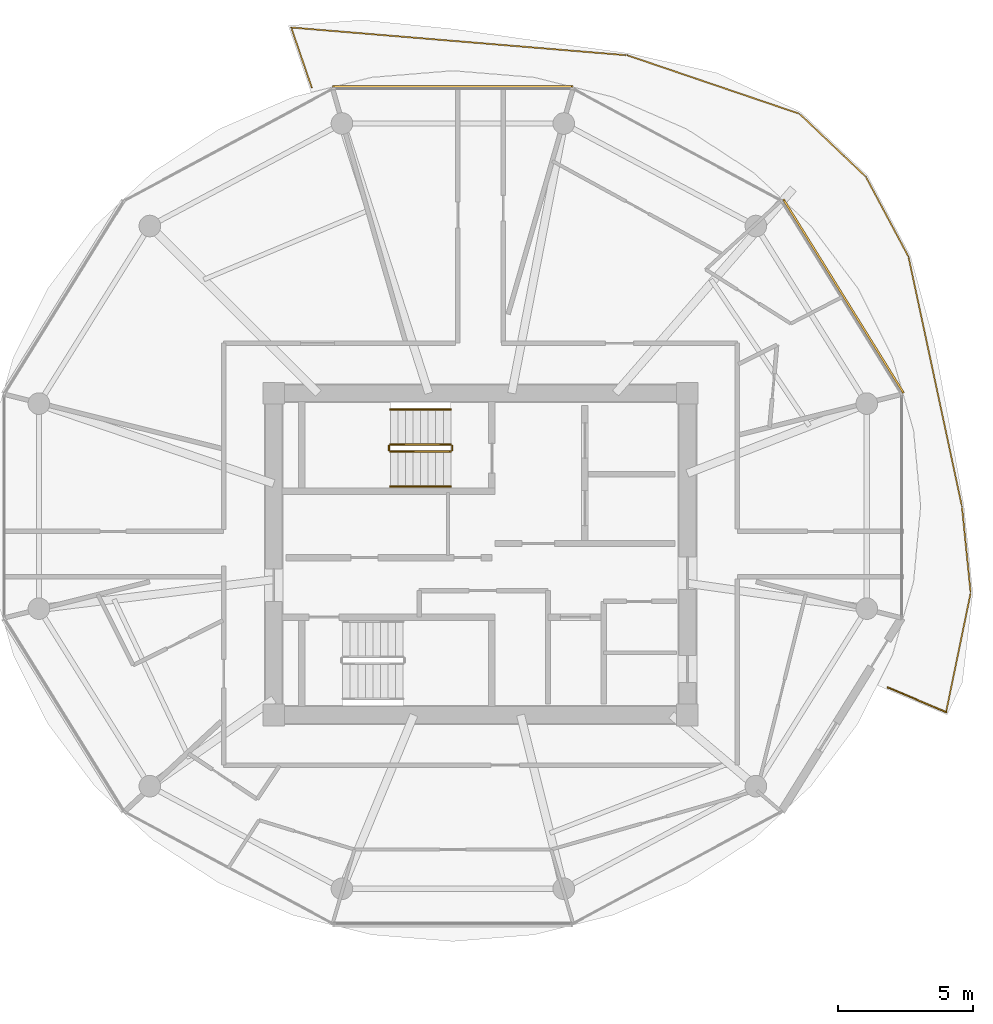
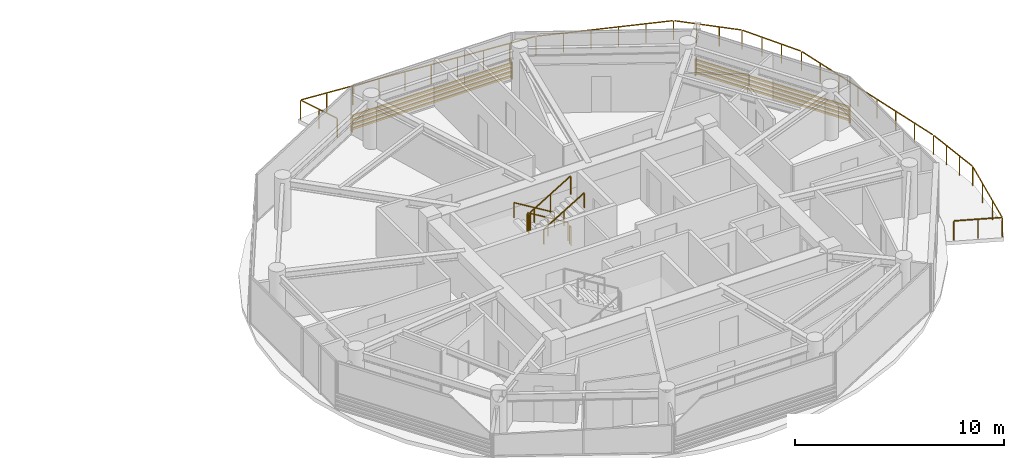
# One storey, part 22 of 22: 8 railings, 2 shading devices.
"""IFC4 building model written with IfcOpenShell, lengths in metres."""

from ifc_helpers import new_model, si_unit, direction, frame, origin, origin_2d, place, context, subcontext, project, spatial, rectangle, extrude, source, transform, mapped, material, type_object, type_shapes, element, save


model = new_model("IFC4")

# Units and contexts
model_context = context("Model", 3, precision=1e-05, world=origin(), true_north=direction((0.0, 1.0)))
body_context = subcontext(model_context, "Body", "Model", "MODEL_VIEW")
ifc_project = project(units=[si_unit("LENGTHUNIT", "METRE"), si_unit("AREAUNIT", "SQUARE_METRE"), si_unit("VOLUMEUNIT", "CUBIC_METRE"), si_unit("PLANEANGLEUNIT", "RADIAN"), si_unit("MASSUNIT", "GRAM", prefix="KILO")], contexts=[model_context])

# Site, building, storey
site_placement = place(None, origin())
site = spatial("IfcSite", under=ifc_project, at=site_placement, CompositionType="ELEMENT")
building_placement = place(site_placement, origin())
building = spatial("IfcBuilding", under=site, at=building_placement, Name="Norrkilde Senior Care Towers", CompositionType="ELEMENT")
storey_placement = place(building_placement, frame((0.0, 0.0, 167.85009765625)))
storey = spatial("IfcBuildingStorey", under=building, at=storey_placement, Name="L52", CompositionType="ELEMENT", Elevation=167.85009765625)

# Railings
ifc_material_1 = material(Name="Anodised Aluminium", Category="aluminium")
railing_type_1 = type_object("IfcRailingType", Name="Balcony Swirl Ribbon Guardrail 1150", PredefinedType="GUARDRAIL", material=ifc_material_1)
railing_1_placement = place(storey_placement, frame((45.217041015625, -5.84130859375, 0.0)))
element("IfcRailing", 1, at=railing_1_placement, inside=storey, type_object=railing_type_1, Name="L52 Perimeter Safety Guard 01", PredefinedType="GUARDRAIL", context=body_context, shape_type="SweptSolid", body=[
    extrude(rectangle(XDim=0.048095703125, YDim=0.048095703125, at=origin_2d()), frame((0.0, 0.0, 1.1259765625), z_axis=(-0.921245400278, 0.38898189221, 0.0), x_axis=(-0.38898189221, -0.921245400278, 0.0)), (0.0, 0.0, 1.0), 2.336181640625),
    extrude(rectangle(XDim=0.0419921875, YDim=0.0419921875, at=origin_2d()), origin(), (0.0, 0.0, 1.0), 1.099853515625),
    extrude(rectangle(XDim=0.0419921875, YDim=0.0419921875, at=origin_2d()), frame((-1.076171875, 0.454345703125, 0.0)), (0.0, 0.0, 1.0), 1.099853515625),
    extrude(rectangle(XDim=0.0419921875, YDim=0.0419921875, at=origin_2d()), frame((-2.152099609375, 0.90869140625, 0.0)), (0.0, 0.0, 1.0), 1.099853515625),
])
railing_2_placement = place(storey_placement, frame((21.75390625, 17.263427734375, 0.0)))
element("IfcRailing", 2, at=railing_2_placement, inside=storey, type_object=railing_type_1, Name="L52 Perimeter Safety Guard 02", PredefinedType="GUARDRAIL", context=body_context, shape_type="SweptSolid", body=[
    extrude(rectangle(XDim=0.048095703125, YDim=0.048095703125, at=origin_2d()), frame((0.0, 0.0, 1.1259765625), z_axis=(-0.324044156322, 0.946041957185, 0.0), x_axis=(-0.946041957185, -0.324044156322, 0.0)), (0.0, 0.0, 1.0), 2.298583984375),
    extrude(rectangle(XDim=0.048095703125, YDim=0.048095703125, at=origin_2d()), frame((-0.71728515625, 2.209716796875, 1.1259765625), z_axis=(0.996603018122, -0.082355475045, 0.0), x_axis=(0.082355475045, 0.996603018122, 0.0)), (0.0, 0.0, 1.0), 12.392822265625),
    extrude(rectangle(XDim=0.048095703125, YDim=0.048095703125, at=origin_2d()), frame((11.712890625, 1.172607421875, 1.1259765625), z_axis=(0.946780041496, -0.321881271627, 0.0), x_axis=(0.321881271627, 0.946780041496, 0.0)), (0.0, 0.0, 1.0), 6.648193359375),
    extrude(rectangle(XDim=0.048095703125, YDim=0.048095703125, at=origin_2d()), frame((18.075439453125, -1.008544921875, 1.1259765625), z_axis=(0.725082421062, -0.688662096145, 0.0), x_axis=(0.688662096145, 0.725082421062, 0.0)), (0.0, 0.0, 1.0), 3.296875),
    extrude(rectangle(XDim=0.048095703125, YDim=0.048095703125, at=origin_2d()), frame((20.514892578125, -3.34326171875, 1.1259765625), z_axis=(0.470444462974, -0.882429604704, 0.0), x_axis=(0.882429604704, 0.470444462974, 0.0)), (0.0, 0.0, 1.0), 3.267578125),
    extrude(rectangle(XDim=0.048095703125, YDim=0.048095703125, at=origin_2d()), frame((22.079833984375, -6.302734375, 1.1259765625), z_axis=(0.209310202269, -0.977849292696, 0.0), x_axis=(0.977849292696, 0.209310202269, 0.0)), (0.0, 0.0, 1.0), 9.36376953125),
    extrude(rectangle(XDim=0.048095703125, YDim=0.048095703125, at=origin_2d()), frame((24.052490234375, -15.539794921875, 1.1259765625), z_axis=(0.100503260029, -0.994936729005, 0.0), x_axis=(0.994936729005, 0.100503260029, 0.0)), (0.0, 0.0, 1.0), 3.134521484375),
    extrude(rectangle(XDim=0.048095703125, YDim=0.048095703125, at=origin_2d()), frame((24.36328125, -18.739013671875, 1.1259765625), z_axis=(-0.201946927391, -0.979396466461, 0.0), x_axis=(0.979396466461, -0.201946927391, 0.0)), (0.0, 0.0, 1.0), 4.45751953125),
    extrude(rectangle(XDim=0.0419921875, YDim=0.0419921875, at=origin_2d()), origin(), (0.0, 0.0, 1.0), 1.099853515625),
    extrude(rectangle(XDim=0.0419921875, YDim=0.0419921875, at=origin_2d()), frame((-0.37890625, 1.1064453125, 0.0)), (0.0, 0.0, 1.0), 1.099853515625),
    extrude(rectangle(XDim=0.0419921875, YDim=0.0419921875, at=origin_2d()), frame((-0.758056640625, 2.213134765625, 0.0)), (0.0, 0.0, 1.0), 1.099853515625),
    extrude(rectangle(XDim=0.0419921875, YDim=0.0419921875, at=origin_2d()), frame((0.623291015625, 2.098876953125, 0.0)), (0.0, 0.0, 1.0), 1.099853515625),
    extrude(rectangle(XDim=0.0419921875, YDim=0.0419921875, at=origin_2d()), frame((2.004638671875, 1.98486328125, 0.0)), (0.0, 0.0, 1.0), 1.099853515625),
    extrude(rectangle(XDim=0.0419921875, YDim=0.0419921875, at=origin_2d()), frame((3.385986328125, 1.87060546875, 0.0)), (0.0, 0.0, 1.0), 1.099853515625),
    extrude(rectangle(XDim=0.0419921875, YDim=0.0419921875, at=origin_2d()), frame((4.767333984375, 1.756591796875, 0.0)), (0.0, 0.0, 1.0), 1.099853515625),
    extrude(rectangle(XDim=0.0419921875, YDim=0.0419921875, at=origin_2d()), frame((6.148681640625, 1.642333984375, 0.0)), (0.0, 0.0, 1.0), 1.099853515625),
    extrude(rectangle(XDim=0.0419921875, YDim=0.0419921875, at=origin_2d()), frame((7.530029296875, 1.5283203125, 0.0)), (0.0, 0.0, 1.0), 1.099853515625),
    extrude(rectangle(XDim=0.0419921875, YDim=0.0419921875, at=origin_2d()), frame((8.911376953125, 1.4140625, 0.0)), (0.0, 0.0, 1.0), 1.099853515625),
    extrude(rectangle(XDim=0.0419921875, YDim=0.0419921875, at=origin_2d()), frame((10.292724609375, 1.300048828125, 0.0)), (0.0, 0.0, 1.0), 1.099853515625),
    extrude(rectangle(XDim=0.0419921875, YDim=0.0419921875, at=origin_2d()), frame((11.674072265625, 1.185791015625, 0.0)), (0.0, 0.0, 1.0), 1.099853515625),
    extrude(rectangle(XDim=0.0419921875, YDim=0.0419921875, at=origin_2d()), frame((12.948486328125, 0.75244140625, 0.0)), (0.0, 0.0, 1.0), 1.099853515625),
    extrude(rectangle(XDim=0.0419921875, YDim=0.0419921875, at=origin_2d()), frame((14.222900390625, 0.3193359375, 0.0)), (0.0, 0.0, 1.0), 1.099853515625),
    extrude(rectangle(XDim=0.0419921875, YDim=0.0419921875, at=origin_2d()), frame((15.4970703125, -0.114013671875, 0.0)), (0.0, 0.0, 1.0), 1.099853515625),
    extrude(rectangle(XDim=0.0419921875, YDim=0.0419921875, at=origin_2d()), frame((16.771484375, -0.547119140625, 0.0)), (0.0, 0.0, 1.0), 1.099853515625),
    extrude(rectangle(XDim=0.0419921875, YDim=0.0419921875, at=origin_2d()), frame((18.0458984375, -0.98046875, 0.0)), (0.0, 0.0, 1.0), 1.099853515625),
    extrude(rectangle(XDim=0.0419921875, YDim=0.0419921875, at=origin_2d()), frame((18.862548828125, -1.756103515625, 0.0)), (0.0, 0.0, 1.0), 1.099853515625),
    extrude(rectangle(XDim=0.0419921875, YDim=0.0419921875, at=origin_2d()), frame((19.678955078125, -2.531494140625, 0.0)), (0.0, 0.0, 1.0), 1.099853515625),
    extrude(rectangle(XDim=0.0419921875, YDim=0.0419921875, at=origin_2d()), frame((20.49560546875, -3.30712890625, 0.0)), (0.0, 0.0, 1.0), 1.099853515625),
    extrude(rectangle(XDim=0.0419921875, YDim=0.0419921875, at=origin_2d()), frame((21.020751953125, -4.292236328125, 0.0)), (0.0, 0.0, 1.0), 1.099853515625),
    extrude(rectangle(XDim=0.0419921875, YDim=0.0419921875, at=origin_2d()), frame((21.546142578125, -5.277587890625, 0.0)), (0.0, 0.0, 1.0), 1.099853515625),
    extrude(rectangle(XDim=0.0419921875, YDim=0.0419921875, at=origin_2d()), frame((22.0712890625, -6.2626953125, 0.0)), (0.0, 0.0, 1.0), 1.099853515625),
    extrude(rectangle(XDim=0.0419921875, YDim=0.0419921875, at=origin_2d()), frame((22.353759765625, -7.582275390625, 0.0)), (0.0, 0.0, 1.0), 1.099853515625),
    extrude(rectangle(XDim=0.0419921875, YDim=0.0419921875, at=origin_2d()), frame((22.63623046875, -8.901611328125, 0.0)), (0.0, 0.0, 1.0), 1.099853515625),
    extrude(rectangle(XDim=0.0419921875, YDim=0.0419921875, at=origin_2d()), frame((22.918701171875, -10.22119140625, 0.0)), (0.0, 0.0, 1.0), 1.099853515625),
    extrude(rectangle(XDim=0.0419921875, YDim=0.0419921875, at=origin_2d()), frame((23.200927734375, -11.54052734375, 0.0)), (0.0, 0.0, 1.0), 1.099853515625),
    extrude(rectangle(XDim=0.0419921875, YDim=0.0419921875, at=origin_2d()), frame((23.4833984375, -12.860107421875, 0.0)), (0.0, 0.0, 1.0), 1.099853515625),
    extrude(rectangle(XDim=0.0419921875, YDim=0.0419921875, at=origin_2d()), frame((23.765869140625, -14.179443359375, 0.0)), (0.0, 0.0, 1.0), 1.099853515625),
    extrude(rectangle(XDim=0.0419921875, YDim=0.0419921875, at=origin_2d()), frame((24.04833984375, -15.4990234375, 0.0)), (0.0, 0.0, 1.0), 1.099853515625),
    extrude(rectangle(XDim=0.0419921875, YDim=0.0419921875, at=origin_2d()), frame((24.156005859375, -16.565673828125, 0.0)), (0.0, 0.0, 1.0), 1.099853515625),
    extrude(rectangle(XDim=0.0419921875, YDim=0.0419921875, at=origin_2d()), frame((24.263916015625, -17.63232421875, 0.0)), (0.0, 0.0, 1.0), 1.099853515625),
    extrude(rectangle(XDim=0.0419921875, YDim=0.0419921875, at=origin_2d()), frame((24.37158203125, -18.698974609375, 0.0)), (0.0, 0.0, 1.0), 1.099853515625),
    extrude(rectangle(XDim=0.0419921875, YDim=0.0419921875, at=origin_2d()), frame((24.06884765625, -20.16748046875, 0.0)), (0.0, 0.0, 1.0), 1.099853515625),
    extrude(rectangle(XDim=0.0419921875, YDim=0.0419921875, at=origin_2d()), frame((23.765869140625, -21.63623046875, 0.0)), (0.0, 0.0, 1.0), 1.099853515625),
    extrude(rectangle(XDim=0.0419921875, YDim=0.0419921875, at=origin_2d()), frame((23.463134765625, -23.104736328125, 0.0)), (0.0, 0.0, 1.0), 1.099853515625),
])
ifc_material_2 = material(Name="Stainless Steel", Category="steel")
railing_type_2 = type_object("IfcRailingType", Name="Stair and Terrace Guardrail 1100", PredefinedType="GUARDRAIL", material=ifc_material_2)
railing_3_placement = place(storey_placement, frame((26.89990234375, 4.050048828125, 0.16943359375)))
element("IfcRailing", 3, at=railing_3_placement, inside=storey, type_object=railing_type_2, Name="L52 ST-E1 stair guard 1", PredefinedType="GUARDRAIL", context=body_context, shape_type="SweptSolid", body=[
    extrude(rectangle(XDim=0.048095703125, YDim=0.048095703125, at=origin_2d()), frame((0.0, 0.0, 1.076171875), z_axis=(-0.855553338991, 0.0, 0.51771467445), x_axis=(0.0, -1.0, 0.0)), (0.0, 0.0, 1.0), 2.6181640625),
    extrude(rectangle(XDim=0.0419921875, YDim=0.0419921875, at=origin_2d()), origin(), (0.0, 0.0, 1.0), 1.050048828125),
    extrude(rectangle(XDim=0.0419921875, YDim=0.0419921875, at=origin_2d()), frame((-1.1201171875, 0.0, 0.677734375)), (0.0, 0.0, 1.0), 1.050048828125),
    extrude(rectangle(XDim=0.0419921875, YDim=0.0419921875, at=origin_2d()), frame((-2.239990234375, 0.0, 1.35546875)), (0.0, 0.0, 1.0), 1.050048828125),
])
railing_4_placement = place(storey_placement, frame((24.610107421875, 4.0, 1.52490234375)))
element("IfcRailing", 4, at=railing_4_placement, inside=storey, type_object=railing_type_2, Name="L52 ST-E1 stair guard 2", PredefinedType="GUARDRAIL", context=body_context, shape_type="SweptSolid", body=[
    extrude(rectangle(XDim=0.048095703125, YDim=0.048095703125, at=origin_2d()), frame((0.0, 0.0, 1.076171875), z_axis=(0.0, -1.0, 0.0), x_axis=(1.0, 0.0, 0.0)), (0.0, 0.0, 1.0), 0.14990234375),
    extrude(rectangle(XDim=0.0419921875, YDim=0.0419921875, at=origin_2d()), origin(), (0.0, 0.0, 1.0), 1.050048828125),
    extrude(rectangle(XDim=0.0419921875, YDim=0.0419921875, at=origin_2d()), frame((0.0, -0.14990234375, 0.0)), (0.0, 0.0, 1.0), 1.050048828125),
])
railing_5_placement = place(storey_placement, frame((24.659912109375, 3.800048828125, 1.6943359375)))
element("IfcRailing", 5, at=railing_5_placement, inside=storey, type_object=railing_type_2, Name="L52 ST-E1 stair guard 3", PredefinedType="GUARDRAIL", context=body_context, shape_type="SweptSolid", body=[
    extrude(rectangle(XDim=0.048095703125, YDim=0.048095703125, at=origin_2d()), frame((0.0, 0.0, 1.076171875), z_axis=(0.855553338991, 0.0, 0.51771467445), x_axis=(0.0, 1.0, 0.0)), (0.0, 0.0, 1.0), 2.6181640625),
    extrude(rectangle(XDim=0.0419921875, YDim=0.0419921875, at=origin_2d()), origin(), (0.0, 0.0, 1.0), 1.050048828125),
    extrude(rectangle(XDim=0.0419921875, YDim=0.0419921875, at=origin_2d()), frame((1.1201171875, 0.0, 0.677734375)), (0.0, 0.0, 1.0), 1.050048828125),
    extrude(rectangle(XDim=0.0419921875, YDim=0.0419921875, at=origin_2d()), frame((2.239990234375, 0.0, 1.35546875)), (0.0, 0.0, 1.0), 1.050048828125),
])
railing_6_placement = place(storey_placement, frame((26.949951171875, 4.0, 0.0)))
element("IfcRailing", 6, at=railing_6_placement, inside=storey, type_object=railing_type_2, Name="L52 ST-E1 stair guard 4", PredefinedType="GUARDRAIL", context=body_context, shape_type="SweptSolid", body=[
    extrude(rectangle(XDim=0.048095703125, YDim=0.048095703125, at=origin_2d()), frame((0.0, 0.0, 1.076171875), z_axis=(0.0, -1.0, 0.0), x_axis=(1.0, 0.0, 0.0)), (0.0, 0.0, 1.0), 0.14990234375),
    extrude(rectangle(XDim=0.0419921875, YDim=0.0419921875, at=origin_2d()), origin(), (0.0, 0.0, 1.0), 1.050048828125),
    extrude(rectangle(XDim=0.0419921875, YDim=0.0419921875, at=origin_2d()), frame((0.0, -0.14990234375, 0.0)), (0.0, 0.0, 1.0), 1.050048828125),
])
ifc_material_3 = material(Name="Nordic Ash Timber", Category="wood")
railing_type_3 = type_object("IfcRailingType", Name="Wall and Stair Handrail 900", PredefinedType="HANDRAIL", material=ifc_material_3)
railing_7_placement = place(storey_placement, frame((26.89990234375, 5.35009765625, 0.16943359375)))
element("IfcRailing", 7, at=railing_7_placement, inside=storey, type_object=railing_type_3, Name="L52 ST-E1 stair handrail 1", PredefinedType="HANDRAIL", context=body_context, shape_type="SweptSolid", body=[
    extrude(rectangle(XDim=0.048095703125, YDim=0.048095703125, at=origin_2d()), frame((0.0, 0.0, 0.8759765625), z_axis=(-0.855553338991, 0.0, 0.51771467445), x_axis=(0.0, -1.0, 0.0)), (0.0, 0.0, 1.0), 2.6181640625),
    extrude(rectangle(XDim=0.0419921875, YDim=0.0419921875, at=origin_2d()), origin(), (0.0, 0.0, 1.0), 0.849853515625),
    extrude(rectangle(XDim=0.0419921875, YDim=0.0419921875, at=origin_2d()), frame((-1.1201171875, 0.0, 0.677734375)), (0.0, 0.0, 1.0), 0.849853515625),
    extrude(rectangle(XDim=0.0419921875, YDim=0.0419921875, at=origin_2d()), frame((-2.239990234375, 0.0, 1.35546875)), (0.0, 0.0, 1.0), 0.849853515625),
])
railing_8_placement = place(storey_placement, frame((24.659912109375, 2.5, 1.6943359375)))
element("IfcRailing", 8, at=railing_8_placement, inside=storey, type_object=railing_type_3, Name="L52 ST-E1 stair handrail 2", PredefinedType="HANDRAIL", context=body_context, shape_type="SweptSolid", body=[
    extrude(rectangle(XDim=0.048095703125, YDim=0.048095703125, at=origin_2d()), frame((0.0, 0.0, 0.8759765625), z_axis=(0.855553338991, 0.0, 0.51771467445), x_axis=(0.0, 1.0, 0.0)), (0.0, 0.0, 1.0), 2.6181640625),
    extrude(rectangle(XDim=0.0419921875, YDim=0.0419921875, at=origin_2d()), origin(), (0.0, 0.0, 1.0), 0.849853515625),
    extrude(rectangle(XDim=0.0419921875, YDim=0.0419921875, at=origin_2d()), frame((1.1201171875, 0.0, 0.677734375)), (0.0, 0.0, 1.0), 0.849853515625),
    extrude(rectangle(XDim=0.0419921875, YDim=0.0419921875, at=origin_2d()), frame((2.239990234375, 0.0, 1.35546875)), (0.0, 0.0, 1.0), 0.849853515625),
])

# Shading devices
ifc_material_4 = material(Name="Architectural Terracotta", Category="masonry")
shading_device_type = type_object("IfcShadingDeviceType", Name="Horizontal Terracotta Baguette Rack", PredefinedType="USERDEFINED", material=ifc_material_4)
shared_shape_1 = source(origin(), body_context, "Body", "SweptSolid", [
    extrude(rectangle(XDim=0.070068359375, YDim=0.110107421875, at=origin_2d()), frame((0.0, 0.090087890625, 0.125), z_axis=(1.0, 0.0, 0.0), x_axis=(0.0, 1.0, 0.0)), (0.0, 0.0, 1.0), 8.89306640625),
    extrude(rectangle(XDim=0.070068359375, YDim=0.110107421875, at=origin_2d()), frame((0.0, 0.090087890625, 0.375), z_axis=(1.0, 0.0, 0.0), x_axis=(0.0, 1.0, 0.0)), (0.0, 0.0, 1.0), 8.89306640625),
    extrude(rectangle(XDim=0.070068359375, YDim=0.110107421875, at=origin_2d()), frame((0.0, 0.090087890625, 0.625), z_axis=(1.0, 0.0, 0.0), x_axis=(0.0, 1.0, 0.0)), (0.0, 0.0, 1.0), 8.89306640625),
    extrude(rectangle(XDim=0.070068359375, YDim=0.110107421875, at=origin_2d()), frame((0.0, 0.090087890625, 0.875), z_axis=(1.0, 0.0, 0.0), x_axis=(0.0, 1.0, 0.0)), (0.0, 0.0, 1.0), 8.89306640625),
    extrude(rectangle(XDim=0.050048828125, YDim=0.1552734375, at=origin_2d()), frame((0.02490234375, 0.047607421875, 0.0)), (0.0, 0.0, 1.0), 1.0),
    extrude(rectangle(XDim=0.050048828125, YDim=0.1552734375, at=origin_2d()), frame((8.8681640625, 0.047607421875, 0.0)), (0.0, 0.0, 1.0), 1.0),
])
shading_device_1_placement = place(storey_placement, frame((22.528564453125, 17.2109375, 0.079833984375), z_axis=(0.0, 0.0, 1.0), x_axis=(1.0, 0.0, 0.0)))
element("IfcShadingDevice", 9, at=shading_device_1_placement, inside=storey, type_object=shading_device_type, Name="L52 Drum E Terracotta Baguette Screen 02", ObjectType="BAGUETTE", PredefinedType="USERDEFINED", context=body_context, shape_type="MappedRepresentation", body=[
    mapped(shared_shape_1, transform((0.0, 0.0, 0.0), x_axis=(1.0, 0.0, 0.0), y_axis=(0.0, 1.0, 0.0), z_axis=(0.0, 0.0, 1.0), scale=1.0)),
])
shared_shape_2 = source(origin(), body_context, "Body", "SweptSolid", [
    extrude(rectangle(XDim=0.070068359375, YDim=0.110107421875, at=origin_2d()), frame((0.0, 0.090087890625, 0.125), z_axis=(1.0, 0.0, 0.0), x_axis=(0.0, 1.0, 0.0)), (0.0, 0.0, 1.0), 8.431396484375),
    extrude(rectangle(XDim=0.070068359375, YDim=0.110107421875, at=origin_2d()), frame((0.0, 0.090087890625, 0.375), z_axis=(1.0, 0.0, 0.0), x_axis=(0.0, 1.0, 0.0)), (0.0, 0.0, 1.0), 8.431396484375),
    extrude(rectangle(XDim=0.070068359375, YDim=0.110107421875, at=origin_2d()), frame((0.0, 0.090087890625, 0.625), z_axis=(1.0, 0.0, 0.0), x_axis=(0.0, 1.0, 0.0)), (0.0, 0.0, 1.0), 8.431396484375),
    extrude(rectangle(XDim=0.070068359375, YDim=0.110107421875, at=origin_2d()), frame((0.0, 0.090087890625, 0.875), z_axis=(1.0, 0.0, 0.0), x_axis=(0.0, 1.0, 0.0)), (0.0, 0.0, 1.0), 8.431396484375),
    extrude(rectangle(XDim=0.050048828125, YDim=0.1552734375, at=origin_2d()), frame((0.02490234375, 0.047607421875, 0.0)), (0.0, 0.0, 1.0), 1.0),
    extrude(rectangle(XDim=0.050048828125, YDim=0.1552734375, at=origin_2d()), frame((8.40625, 0.047607421875, 0.0)), (0.0, 0.0, 1.0), 1.0),
])
type_shapes(shading_device_type, [shared_shape_1, shared_shape_2])
shading_device_2_placement = place(storey_placement, frame((39.123046875, 13.074951171875, 0.079833984375), z_axis=(0.0, 0.0, 1.0), x_axis=(0.527378022296, -0.849630809324, 0.0)))
element("IfcShadingDevice", 10, at=shading_device_2_placement, inside=storey, type_object=shading_device_type, Name="L52 Drum E Terracotta Baguette Screen 00", ObjectType="BAGUETTE", PredefinedType="USERDEFINED", context=body_context, shape_type="MappedRepresentation", body=[
    mapped(shared_shape_2, transform((0.0, 0.0, 0.0), x_axis=(1.0, 0.0, 0.0), y_axis=(0.0, 1.0, 0.0), z_axis=(0.0, 0.0, 1.0), scale=1.0)),
])

save(model, "model.ifc")
